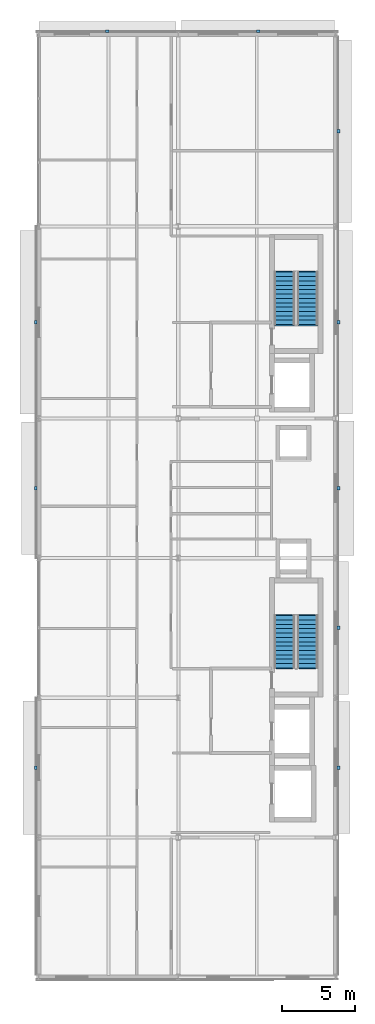
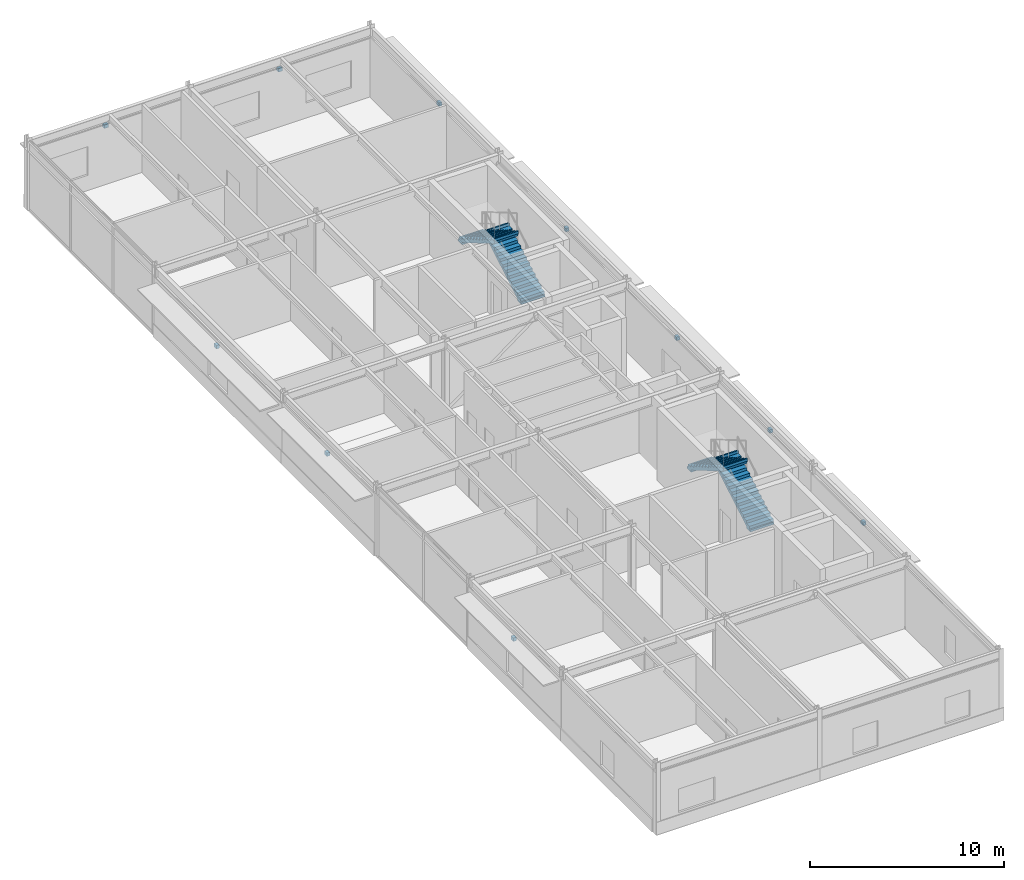
# One storey, part 14 of 17: 10 discrete accessories, 4 stair flights, 2 elements without a shape of their own.
"""IFC4 building model written with IfcOpenShell, lengths in metres."""

from ifc_helpers import new_model, si_unit, direction, frame, origin, origin_2d, place, context, subcontext, project, spatial, polyline, rectangle, outline, extrude, material, layer, layer_set, type_object, element, aggregate, save


model = new_model("IFC4")

# Units and contexts
model_context = context("Model", 3, precision=1e-05, world=origin(), true_north=direction((0.0, 1.0)))
body_context = subcontext(model_context, "Body", "Model", "MODEL_VIEW")
ifc_project = project(units=[si_unit("LENGTHUNIT", "METRE"), si_unit("AREAUNIT", "SQUARE_METRE"), si_unit("VOLUMEUNIT", "CUBIC_METRE"), si_unit("PLANEANGLEUNIT", "RADIAN"), si_unit("MASSUNIT", "GRAM", prefix="KILO")], contexts=[model_context])

# Site, building, storey
site_placement = place(None, origin())
site = spatial("IfcSite", under=ifc_project, at=site_placement, CompositionType="ELEMENT")
building_placement = place(site_placement, origin())
building = spatial("IfcBuilding", under=site, at=building_placement, Name="Almandine Court Research Institute", CompositionType="ELEMENT")
storey_placement = place(building_placement, frame((0.0, 0.0, 32.550048828125)))
storey = spatial("IfcBuildingStorey", under=building, at=storey_placement, Name="L07", CompositionType="ELEMENT", Elevation=32.550048828125)

# Stair, stair flights
ifc_material_1 = material(Name="Concrete C35/45", Category="concrete")
stair_type = type_object("IfcStairType", Name="Stair-Core-26R", PredefinedType="HALF_TURN_STAIR", material=ifc_material_1)
stair_1_placement = place(storey_placement, origin())
stair_1 = element("IfcStair", 1, at=stair_1_placement, inside=storey, type_object=stair_type, Name="L07 Wet Lab South High-Rise Core Stair", PredefinedType="HALF_TURN_STAIR")
stair_flight_type = type_object("IfcStairFlightType", Name="Flight-Core-26R", PredefinedType="STRAIGHT", material=ifc_material_1)
stair_flight_1_placement = place(storey_placement, frame((172.090087890625, 27.25, 0.0), z_axis=(0.0, 0.0, 1.0), x_axis=(0.0, 1.0, 0.0)))
stair_flight_1 = element("IfcStairFlight", 2, at=stair_flight_1_placement, type_object=stair_flight_type, Name="ST-07 flight 1", NumberOfRisers=13, NumberOfTreads=12, PredefinedType="STRAIGHT", RiserHeight=0.175, TreadLength=0.3, context=body_context, shape_type="SweptSolid", body=[
    extrude(outline(polyline([(-0.080078125, -0.139892578125), (-0.080078125, 0.0), (0.0, 0.0), (0.0, 0.175048828125), (0.300048828125, 0.175048828125), (0.300048828125, 0.35009765625), (0.60009765625, 0.35009765625), (0.60009765625, 0.52490234375), (0.89990234375, 0.52490234375), (0.89990234375, 0.699951171875), (1.199951171875, 0.699951171875), (1.199951171875, 0.875), (1.5, 0.875), (1.5, 1.050048828125), (1.800048828125, 1.050048828125), (1.800048828125, 1.22509765625), (2.10009765625, 1.22509765625), (2.10009765625, 1.39990234375), (2.39990234375, 1.39990234375), (2.39990234375, 1.574951171875), (2.699951171875, 1.574951171875), (2.699951171875, 1.75), (3.0, 1.75), (3.0, 1.925048828125), (3.300048828125, 1.925048828125), (3.300048828125, 2.10009765625), (3.60009765625, 2.10009765625), (3.60009765625, 2.27490234375), (3.679931640625, 2.27490234375), (3.679931640625, 2.114990234375), (3.60009765625, 1.914794921875), (0.3173828125, 0.0), (0.3173828125, -0.139892578125), (-0.080078125, -0.139892578125)])), frame((0.0, 0.7099609375, 0.0), z_axis=(0.0, -1.0, 0.0), x_axis=(1.0, 0.0, 0.0)), (0.0, 0.0, 1.0), 1.419921875),
])
stair_flight_2_placement = place(storey_placement, frame((170.510009765625, 30.85009765625, 2.27490234375), z_axis=(0.0, 0.0, 1.0), x_axis=(0.0, -1.0, 0.0)))
stair_flight_2 = element("IfcStairFlight", 3, at=stair_flight_2_placement, type_object=stair_flight_type, Name="ST-07 flight 2", NumberOfRisers=13, NumberOfTreads=12, PredefinedType="STRAIGHT", RiserHeight=0.175, TreadLength=0.3, context=body_context, shape_type="SweptSolid", body=[
    extrude(outline(polyline([(-0.080078125, -0.139892578125), (-0.080078125, 0.0), (0.0, 0.0), (0.0, 0.175048828125), (0.300048828125, 0.175048828125), (0.300048828125, 0.35009765625), (0.60009765625, 0.35009765625), (0.60009765625, 0.52490234375), (0.89990234375, 0.52490234375), (0.89990234375, 0.699951171875), (1.199951171875, 0.699951171875), (1.199951171875, 0.875), (1.5, 0.875), (1.5, 1.050048828125), (1.800048828125, 1.050048828125), (1.800048828125, 1.22509765625), (2.10009765625, 1.22509765625), (2.10009765625, 1.39990234375), (2.39990234375, 1.39990234375), (2.39990234375, 1.574951171875), (2.699951171875, 1.574951171875), (2.699951171875, 1.75), (3.0, 1.75), (3.0, 1.925048828125), (3.300048828125, 1.925048828125), (3.300048828125, 2.10009765625), (3.60009765625, 2.10009765625), (3.60009765625, 2.27490234375), (3.679931640625, 2.27490234375), (3.679931640625, 2.114990234375), (3.60009765625, 1.914794921875), (0.3173828125, 0.0), (0.3173828125, -0.139892578125), (-0.080078125, -0.139892578125)])), frame((0.0, 0.7099609375, 0.0), z_axis=(0.0, -1.0, 0.0), x_axis=(1.0, 0.0, 0.0)), (0.0, 0.0, 1.0), 1.419921875),
])
aggregate(stair_1, [stair_flight_1, stair_flight_2])

stair_2_placement = place(storey_placement, origin())
stair_2 = element("IfcStair", 4, at=stair_2_placement, inside=storey, type_object=stair_type, Name="L07 Wet Lab Central High-Rise Core Stair", PredefinedType="HALF_TURN_STAIR")
stair_flight_3_placement = place(storey_placement, frame((172.090087890625, 50.85009765625, 0.0), z_axis=(0.0, 0.0, 1.0), x_axis=(0.0, 1.0, 0.0)))
stair_flight_3 = element("IfcStairFlight", 5, at=stair_flight_3_placement, type_object=stair_flight_type, Name="ST-08 flight 1", NumberOfRisers=13, NumberOfTreads=12, PredefinedType="STRAIGHT", RiserHeight=0.175, TreadLength=0.3, context=body_context, shape_type="SweptSolid", body=[
    extrude(outline(polyline([(-0.080078125, -0.139892578125), (-0.080078125, 0.0), (0.0, 0.0), (0.0, 0.175048828125), (0.300048828125, 0.175048828125), (0.300048828125, 0.35009765625), (0.60009765625, 0.35009765625), (0.60009765625, 0.52490234375), (0.89990234375, 0.52490234375), (0.89990234375, 0.699951171875), (1.199951171875, 0.699951171875), (1.199951171875, 0.875), (1.5, 0.875), (1.5, 1.050048828125), (1.800048828125, 1.050048828125), (1.800048828125, 1.22509765625), (2.10009765625, 1.22509765625), (2.10009765625, 1.39990234375), (2.39990234375, 1.39990234375), (2.39990234375, 1.574951171875), (2.699951171875, 1.574951171875), (2.699951171875, 1.75), (3.0, 1.75), (3.0, 1.925048828125), (3.300048828125, 1.925048828125), (3.300048828125, 2.10009765625), (3.60009765625, 2.10009765625), (3.60009765625, 2.27490234375), (3.679931640625, 2.27490234375), (3.679931640625, 2.114990234375), (3.60009765625, 1.914794921875), (0.3173828125, 0.0), (0.3173828125, -0.139892578125), (-0.080078125, -0.139892578125)])), frame((0.0, 0.7099609375, 0.0), z_axis=(0.0, -1.0, 0.0), x_axis=(1.0, 0.0, 0.0)), (0.0, 0.0, 1.0), 1.419921875),
])
stair_flight_4_placement = place(storey_placement, frame((170.510009765625, 54.449951171875, 2.27490234375), z_axis=(0.0, 0.0, 1.0), x_axis=(0.0, -1.0, 0.0)))
stair_flight_4 = element("IfcStairFlight", 6, at=stair_flight_4_placement, type_object=stair_flight_type, Name="ST-08 flight 2", NumberOfRisers=13, NumberOfTreads=12, PredefinedType="STRAIGHT", RiserHeight=0.175, TreadLength=0.3, context=body_context, shape_type="SweptSolid", body=[
    extrude(outline(polyline([(-0.080078125, -0.139892578125), (-0.080078125, 0.0), (0.0, 0.0), (0.0, 0.175048828125), (0.300048828125, 0.175048828125), (0.300048828125, 0.35009765625), (0.60009765625, 0.35009765625), (0.60009765625, 0.52490234375), (0.89990234375, 0.52490234375), (0.89990234375, 0.699951171875), (1.199951171875, 0.699951171875), (1.199951171875, 0.875), (1.5, 0.875), (1.5, 1.050048828125), (1.800048828125, 1.050048828125), (1.800048828125, 1.22509765625), (2.10009765625, 1.22509765625), (2.10009765625, 1.39990234375), (2.39990234375, 1.39990234375), (2.39990234375, 1.574951171875), (2.699951171875, 1.574951171875), (2.699951171875, 1.75), (3.0, 1.75), (3.0, 1.925048828125), (3.300048828125, 1.925048828125), (3.300048828125, 2.10009765625), (3.60009765625, 2.10009765625), (3.60009765625, 2.27490234375), (3.679931640625, 2.27490234375), (3.679931640625, 2.114990234375), (3.60009765625, 1.914794921875), (0.3173828125, 0.0), (0.3173828125, -0.139892578125), (-0.080078125, -0.139892578125)])), frame((0.0, 0.7099609375, 0.0), z_axis=(0.0, -1.0, 0.0), x_axis=(1.0, 0.0, 0.0)), (0.0, 0.0, 1.0), 1.419921875),
])
aggregate(stair_2, [stair_flight_3, stair_flight_4])

# Discrete accessories
ifc_material_2 = material(Name="Galvanised Steel Facade Outrigger Bracket", Category="steel")
ifc_layer = layer(ifc_material_2, 0.219970703125)
ifc_layer_set = layer_set([ifc_layer], Name="Galvanised Steel Facade Outrigger Bracket")
discrete_accessory_type = type_object("IfcDiscreteAccessoryType", Name="Acc-CHJ-BRACKET", PredefinedType="BRACKET", material=ifc_layer_set)
for number, where, z_axis, x_axis, name in (
    (7, (153.39501953125, 20.39990234375, 3.47900390625), (0.0, 0.0, 1.0), (0.0, 1.0, 0.0), "L07 Chhajja Outrigger Bracket 149"),
    (8, (153.39501953125, 39.60009765625, 3.47900390625), (0.0, 0.0, 1.0), (0.0, 1.0, 0.0), "L07 Chhajja Outrigger Bracket 150"),
    (9, (153.39501953125, 51.0, 3.3271484375), (0.0, 0.0, 1.0), (0.0, 1.0, 0.0), "L07 Chhajja Outrigger Bracket 151"),
    (10, (158.325927734375, 71.0048828125, 3.3330078125), (0.0, 0.0, 1.0), (1.0, 0.0, 0.0), "L07 Chhajja Outrigger Bracket 152"),
    (11, (168.675048828125, 71.0048828125, 3.2548828125), (0.0, 0.0, 1.0), (1.0, 0.0, 0.0), "L07 Chhajja Outrigger Bracket 153"),
    (12, (174.205078125, 64.126953125, 3.3369140625), (0.0, 0.0, 1.0), (0.0, -1.0, 0.0), "L07 Chhajja Outrigger Bracket 154"),
    (13, (174.205078125, 51.0, 3.39990234375), (0.0, 0.0, 1.0), (0.0, -1.0, 0.0), "L07 Chhajja Outrigger Bracket 155"),
    (14, (174.205078125, 39.60009765625, 3.46875), (0.0, 0.0, 1.0), (0.0, -1.0, 0.0), "L07 Chhajja Outrigger Bracket 156"),
    (15, (174.205078125, 30.0, 3.46875), (0.0, 0.0, 1.0), (0.0, -1.0, 0.0), "L07 Chhajja Outrigger Bracket 157"),
    (16, (174.205078125, 20.39990234375, 3.46875), (0.0, 0.0, 1.0), (0.0, -1.0, 0.0), "L07 Chhajja Outrigger Bracket 158"),
):
    element("IfcDiscreteAccessory", number, at=place(storey_placement, frame(where, z_axis=z_axis, x_axis=x_axis)), inside=storey, type_object=discrete_accessory_type, Name=name, PredefinedType="BRACKET", context=body_context, shape_type="SweptSolid", body=[
        extrude(rectangle(XDim=0.239990234375, YDim=0.179931640625, at=origin_2d()), origin(), (0.0, 0.0, 1.0), 0.219970703125),
    ])

save(model, "model.ifc")
